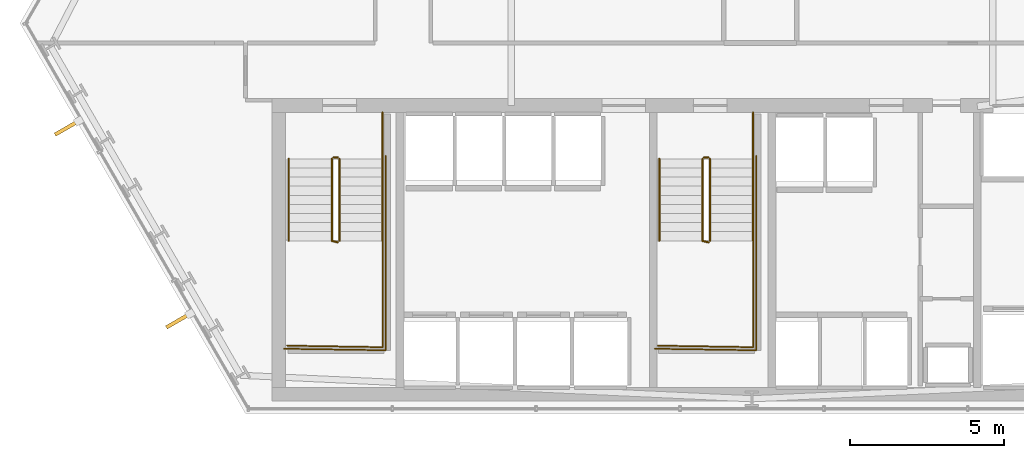
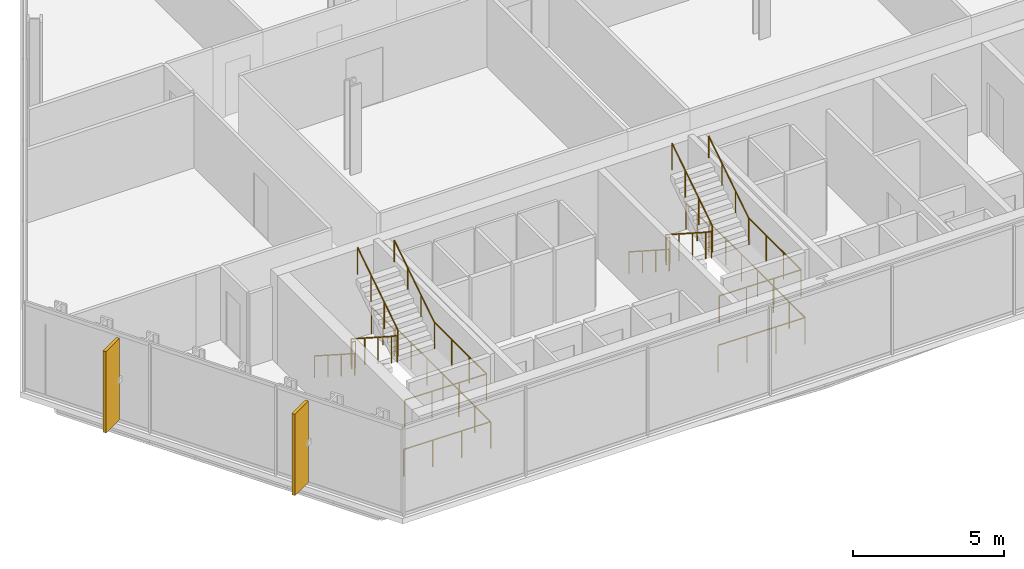
# One storey, part 30 of 33: 16 railings, 2 shading devices.
"""IFC4 building model written with IfcOpenShell, lengths in metres."""

from ifc_helpers import new_model, si_unit, direction, frame, origin, origin_2d, place, context, subcontext, project, spatial, rectangle, circle, extrude, material, layer, layer_set, type_object, element, save


model = new_model("IFC4")

# Units and contexts
model_context = context("Model", 3, precision=1e-05, world=origin(), true_north=direction((0.0, 1.0)))
body_context = subcontext(model_context, "Body", "Model", "MODEL_VIEW")
ifc_project = project(units=[si_unit("LENGTHUNIT", "METRE"), si_unit("AREAUNIT", "SQUARE_METRE"), si_unit("VOLUMEUNIT", "CUBIC_METRE"), si_unit("PLANEANGLEUNIT", "RADIAN"), si_unit("MASSUNIT", "GRAM", prefix="KILO")], contexts=[model_context])

# Site, building, storey
site_placement = place(None, origin())
site = spatial("IfcSite", under=ifc_project, at=site_placement, CompositionType="ELEMENT")
building_placement = place(site_placement, origin())
building = spatial("IfcBuilding", under=site, at=building_placement, Name="Ndaravel Arena Tower", CompositionType="ELEMENT")
storey_placement = place(building_placement, frame((0.0, 0.0, 85.39990234375)))
storey = spatial("IfcBuildingStorey", under=building, at=storey_placement, Name="L19", CompositionType="ELEMENT", Elevation=85.39990234375)

# Railings
ifc_material_1 = material(Name="Steel S355", Category="steel")
ifc_layer_1 = layer(ifc_material_1, 0.06005859375)
ifc_layer_set_1 = layer_set([ifc_layer_1], Name="Steel S355")
railing_type_1 = type_object("IfcRailingType", Name="RAIL-STAIR-GD1100", PredefinedType="GUARDRAIL", material=ifc_layer_set_1)
railing_1_placement = place(storey_placement, frame((28.39990234375, 13.25, 0.190185546875)))
element("IfcRailing", 1, at=railing_1_placement, inside=storey, type_object=railing_type_1, Name="L19 ST-1 stair guard 1", PredefinedType="GUARDRAIL", context=body_context, shape_type="SweptSolid", body=[
    extrude(circle(Radius=0.02392578125, at=origin_2d()), frame((0.0, 0.0, 1.076171875), z_axis=(0.0, -0.840723540582, 0.54146461409), x_axis=(1.0, 0.0, 0.0)), (0.0, 0.0, 1.0), 3.157958984375),
    extrude(circle(Radius=0.02392578125, at=origin_2d()), frame((0.0, -2.655029296875, 2.7861328125), z_axis=(0.967074537263, -0.25449329928, 0.0), x_axis=(0.25449329928, 0.967074537263, 0.0)), (0.0, 0.0, 1.0), 0.19677734375),
    extrude(circle(Radius=0.02099609375, at=origin_2d()), origin(), (0.0, 0.0, 1.0), 1.052001953125),
    extrude(circle(Radius=0.02099609375, at=origin_2d()), frame((0.0, -0.885009765625, 0.570068359375)), (0.0, 0.0, 1.0), 1.052001953125),
    extrude(circle(Radius=0.02099609375, at=origin_2d()), frame((0.0, -1.77001953125, 1.139892578125)), (0.0, 0.0, 1.0), 1.052001953125),
    extrude(circle(Radius=0.02099609375, at=origin_2d()), frame((0.0, -2.655029296875, 1.7099609375)), (0.0, 0.0, 1.0), 1.052001953125),
    extrude(circle(Radius=0.02099609375, at=origin_2d()), frame((0.190185546875, -2.705078125, 1.7099609375)), (0.0, 0.0, 1.0), 1.052001953125),
])
railing_2_placement = place(storey_placement, frame((30.0400390625, 10.594970703125, 1.900146484375)))
element("IfcRailing", 2, at=railing_2_placement, inside=storey, type_object=railing_type_1, Name="L19 ST-1 stair guard 2", PredefinedType="GUARDRAIL", context=body_context, shape_type="SweptSolid", body=[
    extrude(circle(Radius=0.02392578125, at=origin_2d()), frame((0.0, 0.0, 1.076171875), z_axis=(0.0, -1.0, 0.0), x_axis=(1.0, 0.0, 0.0)), (0.0, 0.0, 1.0), 3.445068359375),
    extrude(circle(Radius=0.02392578125, at=origin_2d()), frame((0.0, -3.445068359375, 1.076171875), z_axis=(-0.999868861343, 0.016194447071, 0.0), x_axis=(-0.016194447071, -0.999868861343, 0.0)), (0.0, 0.0, 1.0), 3.090576171875),
    extrude(circle(Radius=0.02099609375, at=origin_2d()), origin(), (0.0, 0.0, 1.0), 1.052001953125),
    extrude(circle(Radius=0.02099609375, at=origin_2d()), frame((0.0, -1.1484375, 0.0)), (0.0, 0.0, 1.0), 1.052001953125),
    extrude(circle(Radius=0.02099609375, at=origin_2d()), frame((0.0, -2.296630859375, 0.0)), (0.0, 0.0, 1.0), 1.052001953125),
    extrude(circle(Radius=0.02099609375, at=origin_2d()), frame((0.0, -3.445068359375, 0.0)), (0.0, 0.0, 1.0), 1.052001953125),
    extrude(circle(Radius=0.02099609375, at=origin_2d()), frame((-1.030029296875, -3.428466796875, 0.0)), (0.0, 0.0, 1.0), 1.052001953125),
    extrude(circle(Radius=0.02099609375, at=origin_2d()), frame((-2.06005859375, -3.41162109375, 0.0)), (0.0, 0.0, 1.0), 1.052001953125),
    extrude(circle(Radius=0.02099609375, at=origin_2d()), frame((-3.090087890625, -3.39501953125, 0.0)), (0.0, 0.0, 1.0), 1.052001953125),
])
railing_3_placement = place(storey_placement, frame((28.639892578125, 10.594970703125, 2.090087890625)))
element("IfcRailing", 3, at=railing_3_placement, inside=storey, type_object=railing_type_1, Name="L19 ST-1 stair guard 3", PredefinedType="GUARDRAIL", context=body_context, shape_type="SweptSolid", body=[
    extrude(circle(Radius=0.02392578125, at=origin_2d()), frame((0.0, 0.0, 1.076171875), z_axis=(0.0, 0.840723540582, 0.54146461409), x_axis=(-1.0, 0.0, 0.0)), (0.0, 0.0, 1.0), 3.157958984375),
    extrude(circle(Radius=0.02099609375, at=origin_2d()), origin(), (0.0, 0.0, 1.0), 1.052001953125),
    extrude(circle(Radius=0.02099609375, at=origin_2d()), frame((0.0, 0.885009765625, 0.570068359375)), (0.0, 0.0, 1.0), 1.052001953125),
    extrude(circle(Radius=0.02099609375, at=origin_2d()), frame((0.0, 1.77001953125, 1.139892578125)), (0.0, 0.0, 1.0), 1.052001953125),
    extrude(circle(Radius=0.02099609375, at=origin_2d()), frame((0.0, 2.655029296875, 1.7099609375)), (0.0, 0.0, 1.0), 1.052001953125),
])
railing_4_placement = place(storey_placement, frame((28.449951171875, 13.300048828125, 0.0)))
element("IfcRailing", 4, at=railing_4_placement, inside=storey, type_object=railing_type_1, Name="L19 ST-1 stair guard 4", PredefinedType="GUARDRAIL", context=body_context, shape_type="SweptSolid", body=[
    extrude(circle(Radius=0.02392578125, at=origin_2d()), frame((0.0, 0.0, 1.076171875), z_axis=(1.0, 0.0, 0.0), x_axis=(0.0, 1.0, 0.0)), (0.0, 0.0, 1.0), 0.14013671875),
    extrude(circle(Radius=0.02099609375, at=origin_2d()), origin(), (0.0, 0.0, 1.0), 1.052001953125),
    extrude(circle(Radius=0.02099609375, at=origin_2d()), frame((0.14013671875, 0.0, 0.0)), (0.0, 0.0, 1.0), 1.052001953125),
])
railing_5_placement = place(storey_placement, frame((30.0400390625, 14.75, 0.0)))
element("IfcRailing", 5, at=railing_5_placement, inside=storey, type_object=railing_type_1, Name="L19 ST-1 stair guard 5", PredefinedType="GUARDRAIL", context=body_context, shape_type="SweptSolid", body=[
    extrude(circle(Radius=0.02392578125, at=origin_2d()), frame((0.0, 0.0, 1.076171875), z_axis=(0.0, -1.0, 0.0), x_axis=(1.0, 0.0, 0.0)), (0.0, 0.0, 1.0), 1.5),
    extrude(circle(Radius=0.02099609375, at=origin_2d()), origin(), (0.0, 0.0, 1.0), 1.052001953125),
    extrude(circle(Radius=0.02099609375, at=origin_2d()), frame((0.0, -0.75, 0.0)), (0.0, 0.0, 1.0), 1.052001953125),
    extrude(circle(Radius=0.02099609375, at=origin_2d()), frame((0.0, -1.5, 0.0)), (0.0, 0.0, 1.0), 1.052001953125),
])
railing_6_placement = place(storey_placement, frame((30.139892578125, 13.35009765625, 0.0)))
element("IfcRailing", 6, at=railing_6_placement, inside=storey, type_object=railing_type_1, Name="L19 ST-1 stair guard 6", PredefinedType="GUARDRAIL", context=body_context, shape_type="SweptSolid", body=[
    extrude(circle(Radius=0.02392578125, at=origin_2d()), frame((0.0, 0.0, 1.076171875), z_axis=(0.0, -1.0, 0.0), x_axis=(1.0, 0.0, 0.0)), (0.0, 0.0, 1.0), 6.300048828125),
    extrude(circle(Radius=0.02392578125, at=origin_2d()), frame((0.0, -6.300048828125, 1.076171875), z_axis=(-0.999884296952, 0.015211597839, 0.0), x_axis=(-0.015211597839, -0.999884296952, 0.0)), (0.0, 0.0, 1.0), 3.290283203125),
    extrude(circle(Radius=0.02099609375, at=origin_2d()), origin(), (0.0, 0.0, 1.0), 1.052001953125),
    extrude(circle(Radius=0.02099609375, at=origin_2d()), frame((0.0, -1.050048828125, 0.0)), (0.0, 0.0, 1.0), 1.052001953125),
    extrude(circle(Radius=0.02099609375, at=origin_2d()), frame((0.0, -2.10009765625, 0.0)), (0.0, 0.0, 1.0), 1.052001953125),
    extrude(circle(Radius=0.02099609375, at=origin_2d()), frame((0.0, -3.14990234375, 0.0)), (0.0, 0.0, 1.0), 1.052001953125),
    extrude(circle(Radius=0.02099609375, at=origin_2d()), frame((0.0, -4.199951171875, 0.0)), (0.0, 0.0, 1.0), 1.052001953125),
    extrude(circle(Radius=0.02099609375, at=origin_2d()), frame((0.0, -5.25, 0.0)), (0.0, 0.0, 1.0), 1.052001953125),
    extrude(circle(Radius=0.02099609375, at=origin_2d()), frame((0.0, -6.300048828125, 0.0)), (0.0, 0.0, 1.0), 1.052001953125),
    extrude(circle(Radius=0.02099609375, at=origin_2d()), frame((-1.0966796875, -6.283447265625, 0.0)), (0.0, 0.0, 1.0), 1.052001953125),
    extrude(circle(Radius=0.02099609375, at=origin_2d()), frame((-2.193115234375, -6.2666015625, 0.0)), (0.0, 0.0, 1.0), 1.052001953125),
    extrude(circle(Radius=0.02099609375, at=origin_2d()), frame((-3.289794921875, -6.25, 0.0)), (0.0, 0.0, 1.0), 1.052001953125),
])
railing_7_placement = place(storey_placement, frame((40.39990234375, 13.25, 0.190185546875)))
element("IfcRailing", 7, at=railing_7_placement, inside=storey, type_object=railing_type_1, Name="L19 ST-2 stair guard 1", PredefinedType="GUARDRAIL", context=body_context, shape_type="SweptSolid", body=[
    extrude(circle(Radius=0.02392578125, at=origin_2d()), frame((0.0, 0.0, 1.076171875), z_axis=(0.0, -0.840723540582, 0.54146461409), x_axis=(1.0, 0.0, 0.0)), (0.0, 0.0, 1.0), 3.157958984375),
    extrude(circle(Radius=0.02392578125, at=origin_2d()), frame((0.0, -2.655029296875, 2.7861328125), z_axis=(0.967074537263, -0.25449329928, 0.0), x_axis=(0.25449329928, 0.967074537263, 0.0)), (0.0, 0.0, 1.0), 0.19677734375),
    extrude(circle(Radius=0.02099609375, at=origin_2d()), origin(), (0.0, 0.0, 1.0), 1.052001953125),
    extrude(circle(Radius=0.02099609375, at=origin_2d()), frame((0.0, -0.885009765625, 0.570068359375)), (0.0, 0.0, 1.0), 1.052001953125),
    extrude(circle(Radius=0.02099609375, at=origin_2d()), frame((0.0, -1.77001953125, 1.139892578125)), (0.0, 0.0, 1.0), 1.052001953125),
    extrude(circle(Radius=0.02099609375, at=origin_2d()), frame((0.0, -2.655029296875, 1.7099609375)), (0.0, 0.0, 1.0), 1.052001953125),
    extrude(circle(Radius=0.02099609375, at=origin_2d()), frame((0.190185546875, -2.705078125, 1.7099609375)), (0.0, 0.0, 1.0), 1.052001953125),
])
railing_8_placement = place(storey_placement, frame((42.0400390625, 10.594970703125, 1.900146484375)))
element("IfcRailing", 8, at=railing_8_placement, inside=storey, type_object=railing_type_1, Name="L19 ST-2 stair guard 2", PredefinedType="GUARDRAIL", context=body_context, shape_type="SweptSolid", body=[
    extrude(circle(Radius=0.02392578125, at=origin_2d()), frame((0.0, 0.0, 1.076171875), z_axis=(0.0, -1.0, 0.0), x_axis=(1.0, 0.0, 0.0)), (0.0, 0.0, 1.0), 3.445068359375),
    extrude(circle(Radius=0.02392578125, at=origin_2d()), frame((0.0, -3.445068359375, 1.076171875), z_axis=(-0.999868861343, 0.016194447071, 0.0), x_axis=(-0.016194447071, -0.999868861343, 0.0)), (0.0, 0.0, 1.0), 3.090576171875),
    extrude(circle(Radius=0.02099609375, at=origin_2d()), origin(), (0.0, 0.0, 1.0), 1.052001953125),
    extrude(circle(Radius=0.02099609375, at=origin_2d()), frame((0.0, -1.1484375, 0.0)), (0.0, 0.0, 1.0), 1.052001953125),
    extrude(circle(Radius=0.02099609375, at=origin_2d()), frame((0.0, -2.296630859375, 0.0)), (0.0, 0.0, 1.0), 1.052001953125),
    extrude(circle(Radius=0.02099609375, at=origin_2d()), frame((0.0, -3.445068359375, 0.0)), (0.0, 0.0, 1.0), 1.052001953125),
    extrude(circle(Radius=0.02099609375, at=origin_2d()), frame((-1.030029296875, -3.428466796875, 0.0)), (0.0, 0.0, 1.0), 1.052001953125),
    extrude(circle(Radius=0.02099609375, at=origin_2d()), frame((-2.06005859375, -3.41162109375, 0.0)), (0.0, 0.0, 1.0), 1.052001953125),
    extrude(circle(Radius=0.02099609375, at=origin_2d()), frame((-3.090087890625, -3.39501953125, 0.0)), (0.0, 0.0, 1.0), 1.052001953125),
])
railing_9_placement = place(storey_placement, frame((40.639892578125, 10.594970703125, 2.090087890625)))
element("IfcRailing", 9, at=railing_9_placement, inside=storey, type_object=railing_type_1, Name="L19 ST-2 stair guard 3", PredefinedType="GUARDRAIL", context=body_context, shape_type="SweptSolid", body=[
    extrude(circle(Radius=0.02392578125, at=origin_2d()), frame((0.0, 0.0, 1.076171875), z_axis=(0.0, 0.840723540582, 0.54146461409), x_axis=(-1.0, 0.0, 0.0)), (0.0, 0.0, 1.0), 3.157958984375),
    extrude(circle(Radius=0.02099609375, at=origin_2d()), origin(), (0.0, 0.0, 1.0), 1.052001953125),
    extrude(circle(Radius=0.02099609375, at=origin_2d()), frame((0.0, 0.885009765625, 0.570068359375)), (0.0, 0.0, 1.0), 1.052001953125),
    extrude(circle(Radius=0.02099609375, at=origin_2d()), frame((0.0, 1.77001953125, 1.139892578125)), (0.0, 0.0, 1.0), 1.052001953125),
    extrude(circle(Radius=0.02099609375, at=origin_2d()), frame((0.0, 2.655029296875, 1.7099609375)), (0.0, 0.0, 1.0), 1.052001953125),
])
railing_10_placement = place(storey_placement, frame((40.449951171875, 13.300048828125, 0.0)))
element("IfcRailing", 10, at=railing_10_placement, inside=storey, type_object=railing_type_1, Name="L19 ST-2 stair guard 4", PredefinedType="GUARDRAIL", context=body_context, shape_type="SweptSolid", body=[
    extrude(circle(Radius=0.02392578125, at=origin_2d()), frame((0.0, 0.0, 1.076171875), z_axis=(1.0, 0.0, 0.0), x_axis=(0.0, 1.0, 0.0)), (0.0, 0.0, 1.0), 0.14013671875),
    extrude(circle(Radius=0.02099609375, at=origin_2d()), origin(), (0.0, 0.0, 1.0), 1.052001953125),
    extrude(circle(Radius=0.02099609375, at=origin_2d()), frame((0.14013671875, 0.0, 0.0)), (0.0, 0.0, 1.0), 1.052001953125),
])
railing_11_placement = place(storey_placement, frame((42.0400390625, 14.75, 0.0)))
element("IfcRailing", 11, at=railing_11_placement, inside=storey, type_object=railing_type_1, Name="L19 ST-2 stair guard 5", PredefinedType="GUARDRAIL", context=body_context, shape_type="SweptSolid", body=[
    extrude(circle(Radius=0.02392578125, at=origin_2d()), frame((0.0, 0.0, 1.076171875), z_axis=(0.0, -1.0, 0.0), x_axis=(1.0, 0.0, 0.0)), (0.0, 0.0, 1.0), 1.5),
    extrude(circle(Radius=0.02099609375, at=origin_2d()), origin(), (0.0, 0.0, 1.0), 1.052001953125),
    extrude(circle(Radius=0.02099609375, at=origin_2d()), frame((0.0, -0.75, 0.0)), (0.0, 0.0, 1.0), 1.052001953125),
    extrude(circle(Radius=0.02099609375, at=origin_2d()), frame((0.0, -1.5, 0.0)), (0.0, 0.0, 1.0), 1.052001953125),
])
railing_12_placement = place(storey_placement, frame((42.139892578125, 13.35009765625, 0.0)))
element("IfcRailing", 12, at=railing_12_placement, inside=storey, type_object=railing_type_1, Name="L19 ST-2 stair guard 6", PredefinedType="GUARDRAIL", context=body_context, shape_type="SweptSolid", body=[
    extrude(circle(Radius=0.02392578125, at=origin_2d()), frame((0.0, 0.0, 1.076171875), z_axis=(0.0, -1.0, 0.0), x_axis=(1.0, 0.0, 0.0)), (0.0, 0.0, 1.0), 6.300048828125),
    extrude(circle(Radius=0.02392578125, at=origin_2d()), frame((0.0, -6.300048828125, 1.076171875), z_axis=(-0.999884296952, 0.015211597839, 0.0), x_axis=(-0.015211597839, -0.999884296952, 0.0)), (0.0, 0.0, 1.0), 3.290283203125),
    extrude(circle(Radius=0.02099609375, at=origin_2d()), origin(), (0.0, 0.0, 1.0), 1.052001953125),
    extrude(circle(Radius=0.02099609375, at=origin_2d()), frame((0.0, -1.050048828125, 0.0)), (0.0, 0.0, 1.0), 1.052001953125),
    extrude(circle(Radius=0.02099609375, at=origin_2d()), frame((0.0, -2.10009765625, 0.0)), (0.0, 0.0, 1.0), 1.052001953125),
    extrude(circle(Radius=0.02099609375, at=origin_2d()), frame((0.0, -3.14990234375, 0.0)), (0.0, 0.0, 1.0), 1.052001953125),
    extrude(circle(Radius=0.02099609375, at=origin_2d()), frame((0.0, -4.199951171875, 0.0)), (0.0, 0.0, 1.0), 1.052001953125),
    extrude(circle(Radius=0.02099609375, at=origin_2d()), frame((0.0, -5.25, 0.0)), (0.0, 0.0, 1.0), 1.052001953125),
    extrude(circle(Radius=0.02099609375, at=origin_2d()), frame((0.0, -6.300048828125, 0.0)), (0.0, 0.0, 1.0), 1.052001953125),
    extrude(circle(Radius=0.02099609375, at=origin_2d()), frame((-1.0966796875, -6.283447265625, 0.0)), (0.0, 0.0, 1.0), 1.052001953125),
    extrude(circle(Radius=0.02099609375, at=origin_2d()), frame((-2.193115234375, -6.2666015625, 0.0)), (0.0, 0.0, 1.0), 1.052001953125),
    extrude(circle(Radius=0.02099609375, at=origin_2d()), frame((-3.289794921875, -6.25, 0.0)), (0.0, 0.0, 1.0), 1.052001953125),
])
ifc_material_2 = material(Name="Steel S355", Category="steel")
ifc_layer_2 = layer(ifc_material_2, 0.050048828125)
ifc_layer_set_2 = layer_set([ifc_layer_2], Name="Steel S355")
railing_type_2 = type_object("IfcRailingType", Name="RAIL-STAIR-HR920", PredefinedType="HANDRAIL", material=ifc_layer_set_2)
railing_13_placement = place(storey_placement, frame((27.0, 13.25, 0.190185546875)))
element("IfcRailing", 13, at=railing_13_placement, inside=storey, type_object=railing_type_2, Name="L19 ST-1 stair handrail 1", PredefinedType="HANDRAIL", context=body_context, shape_type="SweptSolid", body=[
    extrude(circle(Radius=0.02392578125, at=origin_2d()), frame((0.0, 0.0, 0.8759765625), z_axis=(0.0, -0.840723540582, 0.54146461409), x_axis=(1.0, 0.0, 0.0)), (0.0, 0.0, 1.0), 3.157958984375),
    extrude(circle(Radius=0.02099609375, at=origin_2d()), origin(), (0.0, 0.0, 1.0), 0.851806640625),
    extrude(circle(Radius=0.02099609375, at=origin_2d()), frame((0.0, -0.885009765625, 0.570068359375)), (0.0, 0.0, 1.0), 0.851806640625),
    extrude(circle(Radius=0.02099609375, at=origin_2d()), frame((0.0, -1.77001953125, 1.139892578125)), (0.0, 0.0, 1.0), 0.851806640625),
    extrude(circle(Radius=0.02099609375, at=origin_2d()), frame((0.0, -2.655029296875, 1.7099609375)), (0.0, 0.0, 1.0), 0.851806640625),
])
railing_14_placement = place(storey_placement, frame((30.0400390625, 10.594970703125, 2.090087890625)))
element("IfcRailing", 14, at=railing_14_placement, inside=storey, type_object=railing_type_2, Name="L19 ST-1 stair handrail 2", PredefinedType="HANDRAIL", context=body_context, shape_type="SweptSolid", body=[
    extrude(circle(Radius=0.02392578125, at=origin_2d()), frame((0.0, 0.0, 0.8759765625), z_axis=(0.0, 0.840723540582, 0.54146461409), x_axis=(-1.0, 0.0, 0.0)), (0.0, 0.0, 1.0), 3.157958984375),
    extrude(circle(Radius=0.02099609375, at=origin_2d()), origin(), (0.0, 0.0, 1.0), 0.851806640625),
    extrude(circle(Radius=0.02099609375, at=origin_2d()), frame((0.0, 0.885009765625, 0.570068359375)), (0.0, 0.0, 1.0), 0.851806640625),
    extrude(circle(Radius=0.02099609375, at=origin_2d()), frame((0.0, 1.77001953125, 1.139892578125)), (0.0, 0.0, 1.0), 0.851806640625),
    extrude(circle(Radius=0.02099609375, at=origin_2d()), frame((0.0, 2.655029296875, 1.7099609375)), (0.0, 0.0, 1.0), 0.851806640625),
])
railing_15_placement = place(storey_placement, frame((39.0, 13.25, 0.190185546875)))
element("IfcRailing", 15, at=railing_15_placement, inside=storey, type_object=railing_type_2, Name="L19 ST-2 stair handrail 1", PredefinedType="HANDRAIL", context=body_context, shape_type="SweptSolid", body=[
    extrude(circle(Radius=0.02392578125, at=origin_2d()), frame((0.0, 0.0, 0.8759765625), z_axis=(0.0, -0.840723540582, 0.54146461409), x_axis=(1.0, 0.0, 0.0)), (0.0, 0.0, 1.0), 3.157958984375),
    extrude(circle(Radius=0.02099609375, at=origin_2d()), origin(), (0.0, 0.0, 1.0), 0.851806640625),
    extrude(circle(Radius=0.02099609375, at=origin_2d()), frame((0.0, -0.885009765625, 0.570068359375)), (0.0, 0.0, 1.0), 0.851806640625),
    extrude(circle(Radius=0.02099609375, at=origin_2d()), frame((0.0, -1.77001953125, 1.139892578125)), (0.0, 0.0, 1.0), 0.851806640625),
    extrude(circle(Radius=0.02099609375, at=origin_2d()), frame((0.0, -2.655029296875, 1.7099609375)), (0.0, 0.0, 1.0), 0.851806640625),
])
railing_16_placement = place(storey_placement, frame((42.0400390625, 10.594970703125, 2.090087890625)))
element("IfcRailing", 16, at=railing_16_placement, inside=storey, type_object=railing_type_2, Name="L19 ST-2 stair handrail 2", PredefinedType="HANDRAIL", context=body_context, shape_type="SweptSolid", body=[
    extrude(circle(Radius=0.02392578125, at=origin_2d()), frame((0.0, 0.0, 0.8759765625), z_axis=(0.0, 0.840723540582, 0.54146461409), x_axis=(-1.0, 0.0, 0.0)), (0.0, 0.0, 1.0), 3.157958984375),
    extrude(circle(Radius=0.02099609375, at=origin_2d()), origin(), (0.0, 0.0, 1.0), 0.851806640625),
    extrude(circle(Radius=0.02099609375, at=origin_2d()), frame((0.0, 0.885009765625, 0.570068359375)), (0.0, 0.0, 1.0), 0.851806640625),
    extrude(circle(Radius=0.02099609375, at=origin_2d()), frame((0.0, 1.77001953125, 1.139892578125)), (0.0, 0.0, 1.0), 0.851806640625),
    extrude(circle(Radius=0.02099609375, at=origin_2d()), frame((0.0, 2.655029296875, 1.7099609375)), (0.0, 0.0, 1.0), 0.851806640625),
])

# Shading devices
ifc_material_3 = material(Name="Masonry", Category="masonry")
shading_device_type = type_object("IfcShadingDeviceType", Name="SHD-MAZERAS-FIN", PredefinedType="SHUTTER", material=ifc_material_3)
for number, where, z_axis, x_axis, name in (
    (17, (19.8212890625, 14.2587890625, 0.14990234375), (0.0, 0.0, 1.0), (-0.866025403784, -0.5, 0.0), "L19 Mazeras Stone Solar Fin E6.1"),
    (18, (23.42626953125, 8.014892578125, 0.14990234375), (0.0, 0.0, 1.0), (-0.866025403784, -0.5, 0.0), "L19 Mazeras Stone Solar Fin E6.2"),
):
    element("IfcShadingDevice", number, at=place(storey_placement, frame(where, z_axis=z_axis, x_axis=x_axis)), inside=storey, type_object=shading_device_type, Name=name, PredefinedType="SHUTTER", context=body_context, shape_type="SweptSolid", body=[
        extrude(rectangle(XDim=0.89990234375, YDim=0.1201171875, at=origin_2d()), origin(), (0.0, 0.0, 1.0), 3.280029296875),
    ])

save(model, "model.ifc")
